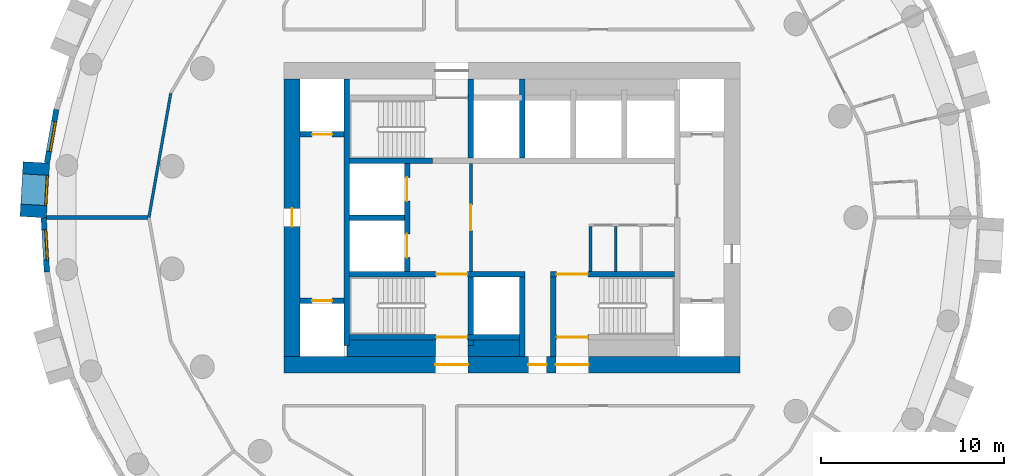
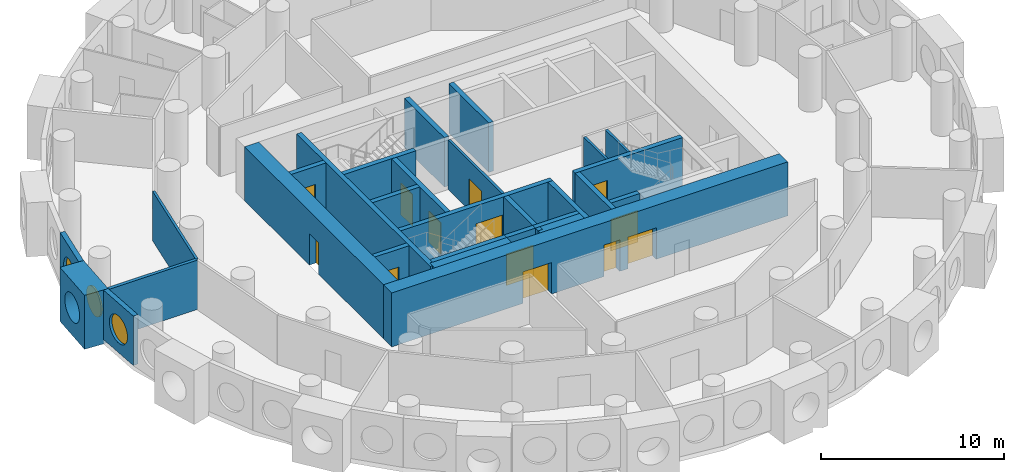
# One storey, part 3 of 10: 29 walls, 13 doors, 3 windows, 16 openings.
"""IFC4 building model written with IfcOpenShell, lengths in metres."""

from ifc_helpers import new_model, si_unit, direction, frame, frame_2d, origin, origin_2d, place, context, subcontext, project, spatial, rectangle, circle, extrude, material, layer, layer_set, type_object, element, fill, save


model = new_model("IFC4")

# Units and contexts
model_context = context("Model", 3, precision=1e-05, world=origin(), true_north=direction((0.0, 1.0)))
body_context = subcontext(model_context, "Body", "Model", "MODEL_VIEW")
ifc_project = project(units=[si_unit("LENGTHUNIT", "METRE"), si_unit("AREAUNIT", "SQUARE_METRE"), si_unit("VOLUMEUNIT", "CUBIC_METRE"), si_unit("PLANEANGLEUNIT", "RADIAN"), si_unit("MASSUNIT", "GRAM", prefix="KILO")], contexts=[model_context])

# Site, building, storey
site_placement = place(None, origin())
site = spatial("IfcSite", under=ifc_project, at=site_placement, CompositionType="ELEMENT")
building_placement = place(site_placement, origin())
building = spatial("IfcBuilding", under=site, at=building_placement, Name="Tracery Tower", CompositionType="ELEMENT")
storey_placement = place(building_placement, frame((0.0, 0.0, 133.199951171875)))
storey = spatial("IfcBuildingStorey", under=building, at=storey_placement, Name="L33", CompositionType="ELEMENT", Elevation=133.199951171875)

# Wall, opening, door
ifc_material_1 = material(Name="Plasterboard on steel studs", Category="steel")
ifc_layer_1 = layer(ifc_material_1, 0.14990234375)
ifc_layer_set_1 = layer_set([ifc_layer_1], Name="Core lobby partition 150")
wall_type_1 = type_object("IfcWallType", Name="Core lobby partition 150", PredefinedType="SOLIDWALL", material=ifc_layer_set_1)
wall_1_placement = place(storey_placement, frame((-2.25, -2.949951171875, 0.0), z_axis=(0.0, 0.0, 1.0), x_axis=(0.0, 1.0, 0.0)))
wall_1 = element("IfcWall", 1, at=wall_1_placement, inside=storey, type_object=wall_type_1, Name="L33 FF lobby E", PredefinedType="SOLIDWALL", context=body_context, shape_type="SweptSolid", body=[
    extrude(rectangle(XDim=5.89990234375, YDim=0.14990234375, at=frame_2d((2.949951171875, 0.0))), origin(), (0.0, 0.0, 1.0), 3.300048828125),
])
opening_1_placement = place(wall_1_placement, frame((2.25, 0.0, 0.0)))
opening_1 = element("IfcOpeningElement", 2, at=opening_1_placement, cuts=wall_1, Name="Opening KD8", PredefinedType="OPENING", context=body_context, shape_type="SweptSolid", body=[
    extrude(rectangle(XDim=1.39990234375, YDim=2.10009765625, at=frame_2d((0.699951171875, 1.050048828125))), frame((0.0, 0.074951171875, 0.0), z_axis=(0.0, -1.0, 0.0), x_axis=(1.0, 0.0, 0.0)), (0.0, 0.0, 1.0), 0.14990234375),
])
ifc_material_2 = material(Name="Steel fire door", Category="steel")
door_type_1 = type_object("IfcDoorType", Name="Core lobby door 1400 double", OperationType="NOTDEFINED", PredefinedType="DOOR", material=ifc_material_2)
door_1_placement = place(opening_1_placement, origin())
door_1 = element("IfcDoor", 3, at=door_1_placement, inside=storey, type_object=door_type_1, Name="Fire-fighting lobby door", OperationType="DOUBLE_DOOR_SINGLE_SWING", OverallHeight=2.10009765625, OverallWidth=1.39990234375, PredefinedType="DOOR", context=body_context, shape_type="SweptSolid", body=[
    extrude(rectangle(XDim=1.39990234375, YDim=2.10009765625, at=frame_2d((0.699951171875, 1.050048828125))), frame((0.0, 0.02490234375, 0.0), z_axis=(0.0, -1.0, 0.0), x_axis=(1.0, 0.0, 0.0)), (0.0, 0.0, 1.0), 0.050048828125),
])
fill(opening_1, door_1)

# Walls
ifc_material_3 = material(Name="Plasterboard on steel studs", Category="steel")
ifc_layer_2 = layer(ifc_material_3, 0.14990234375)
ifc_layer_set_2 = layer_set([ifc_layer_2], Name="Core room partition 150")
wall_type_2 = type_object("IfcWallType", Name="Core room partition 150", PredefinedType="SOLIDWALL", material=ifc_layer_set_2)
for number, where, z_axis, x_axis, name in (
    (4, (4.300048828125, -2.949951171875, 0.0), (0.0, 0.0, 1.0), (0.0, 1.0, 0.0), "L33 slot W"),
    (5, (5.675048828125, -2.949951171875, 0.0), (0.0, 0.0, 1.0), (0.0, 1.0, 0.0), "L33 slot sep 1"),
):
    element("IfcWall", number, at=place(storey_placement, frame(where, z_axis=z_axis, x_axis=x_axis)), inside=storey, type_object=wall_type_2, Name=name, PredefinedType="SOLIDWALL", context=body_context, shape_type="SweptSolid", body=[
        extrude(rectangle(XDim=2.449951171875, YDim=0.14990234375, at=frame_2d((1.22509765625, 0.0))), origin(), (0.0, 0.0, 1.0), 3.300048828125),
    ])
ifc_material_4 = material(Name="Concrete C50/60", Category="concrete")
ifc_layer_3 = layer(ifc_material_4, 0.89990234375)
ifc_layer_set_3 = layer_set([ifc_layer_3], Name="Core strip wall 900 C50")
wall_type_3 = type_object("IfcWallType", Name="Core strip wall 900 C50", PredefinedType="SOLIDWALL", material=ifc_layer_set_3)
wall_2_placement = place(storey_placement, frame((-9.050048828125, -7.14990234375, 0.0), z_axis=(0.0, 0.0, 1.0), x_axis=(1.0, 0.0, 0.0)))
element("IfcWall", 6, at=wall_2_placement, inside=storey, type_object=wall_type_3, Name="L33 F thick S W", PredefinedType="SOLIDWALL", context=body_context, shape_type="SweptSolid", body=[
    extrude(rectangle(XDim=4.85009765625, YDim=0.89990234375, at=frame_2d((2.425048828125, 0.0))), origin(), (0.0, 0.0, 1.0), 3.300048828125),
])
wall_3_placement = place(storey_placement, frame((-2.39990234375, -7.14990234375, 0.0), z_axis=(0.0, 0.0, 1.0), x_axis=(1.0, 0.0, 0.0)))
element("IfcWall", 7, at=wall_3_placement, inside=storey, type_object=wall_type_3, Name="L33 F thick S mid", PredefinedType="SOLIDWALL", context=body_context, shape_type="SweptSolid", body=[
    extrude(rectangle(XDim=2.7998046875, YDim=0.89990234375, at=frame_2d((1.39990234375, 0.0))), origin(), (0.0, 0.0, 1.0), 3.300048828125),
])

# Wall, openings, doors
ifc_material_5 = material(Name="Concrete C50/60", Category="concrete")
ifc_layer_4 = layer(ifc_material_5, 0.89990234375)
ifc_layer_set_4 = layer_set([ifc_layer_4], Name="Core wall 900 C50")
wall_type_4 = type_object("IfcWallType", Name="Core wall 900 C50", PredefinedType="SOLIDWALL", material=ifc_layer_set_4)
wall_4_placement = place(storey_placement, frame((-12.5, -8.050048828125, 0.0), z_axis=(0.0, 0.0, 1.0), x_axis=(1.0, 0.0, 0.0)))
wall_4 = element("IfcWall", 8, at=wall_4_placement, inside=storey, type_object=wall_type_4, Name="L33 outer S", PredefinedType="SOLIDWALL", context=body_context, shape_type="SweptSolid", body=[
    extrude(rectangle(XDim=25.0, YDim=0.89990234375, at=frame_2d((12.5, 0.0))), origin(), (0.0, 0.0, 1.0), 3.60009765625),
])
opening_2_placement = place(wall_4_placement, frame((13.39990234375, 0.0, 0.0)))
opening_2 = element("IfcOpeningElement", 9, at=opening_2_placement, cuts=wall_4, Name="Opening KD16", PredefinedType="OPENING", context=body_context, shape_type="SweptSolid", body=[
    extrude(rectangle(XDim=1.0, YDim=2.10009765625, at=frame_2d((0.5, 1.050048828125))), frame((0.0, 0.449951171875, 0.0), z_axis=(0.0, -1.0, 0.0), x_axis=(1.0, 0.0, 0.0)), (0.0, 0.0, 1.0), 0.89990234375),
])
opening_3_placement = place(wall_4_placement, frame((8.300048828125, 0.0, 0.0)))
opening_3 = element("IfcOpeningElement", 10, at=opening_3_placement, cuts=wall_4, Name="Opening KD13", PredefinedType="OPENING", context=body_context, shape_type="SweptSolid", body=[
    extrude(rectangle(XDim=1.800048828125, YDim=2.10009765625, at=frame_2d((0.89990234375, 1.050048828125))), frame((0.0, 0.449951171875, 0.0), z_axis=(0.0, -1.0, 0.0), x_axis=(1.0, 0.0, 0.0)), (0.0, 0.0, 1.0), 0.89990234375),
])
opening_4_placement = place(wall_4_placement, frame((14.89990234375, 0.0, 0.0)))
opening_4 = element("IfcOpeningElement", 11, at=opening_4_placement, cuts=wall_4, Name="Opening KD13", PredefinedType="OPENING", context=body_context, shape_type="SweptSolid", body=[
    extrude(rectangle(XDim=1.800048828125, YDim=2.10009765625, at=frame_2d((0.89990234375, 1.050048828125))), frame((0.0, 0.449951171875, 0.0), z_axis=(0.0, -1.0, 0.0), x_axis=(1.0, 0.0, 0.0)), (0.0, 0.0, 1.0), 0.89990234375),
])
ifc_material_6 = material(Name="Steel fire door", Category="steel")
door_type_2 = type_object("IfcDoorType", Name="Core exit door 1000", OperationType="NOTDEFINED", PredefinedType="DOOR", material=ifc_material_6)
door_2_placement = place(opening_2_placement, origin())
door_2 = element("IfcDoor", 12, at=door_2_placement, inside=storey, type_object=door_type_2, Name="Core exit door", OperationType="SINGLE_SWING_LEFT", OverallHeight=2.10009765625, OverallWidth=1.0, PredefinedType="DOOR", context=body_context, shape_type="SweptSolid", body=[
    extrude(rectangle(XDim=1.0, YDim=2.10009765625, at=frame_2d((0.5, 1.050048828125))), frame((0.0, 0.02490234375, 0.0), z_axis=(0.0, -1.0, 0.0), x_axis=(1.0, 0.0, 0.0)), (0.0, 0.0, 1.0), 0.050048828125),
])
fill(opening_2, door_2)
ifc_material_7 = material(Name="Steel fire door", Category="steel")
door_type_3 = type_object("IfcDoorType", Name="Core exit door 1800 double", OperationType="NOTDEFINED", PredefinedType="DOOR", material=ifc_material_7)
door_3_placement = place(opening_3_placement, origin())
door_3 = element("IfcDoor", 13, at=door_3_placement, inside=storey, type_object=door_type_3, Name="Core exit door", OperationType="DOUBLE_DOOR_SINGLE_SWING", OverallHeight=2.10009765625, OverallWidth=1.800048828125, PredefinedType="DOOR", context=body_context, shape_type="SweptSolid", body=[
    extrude(rectangle(XDim=1.800048828125, YDim=2.10009765625, at=frame_2d((0.89990234375, 1.050048828125))), frame((0.0, 0.02490234375, 0.0), z_axis=(0.0, -1.0, 0.0), x_axis=(1.0, 0.0, 0.0)), (0.0, 0.0, 1.0), 0.050048828125),
])
fill(opening_3, door_3)
door_4_placement = place(opening_4_placement, origin())
door_4 = element("IfcDoor", 14, at=door_4_placement, inside=storey, type_object=door_type_3, Name="Core exit door", OperationType="DOUBLE_DOOR_SINGLE_SWING", OverallHeight=2.10009765625, OverallWidth=1.800048828125, PredefinedType="DOOR", context=body_context, shape_type="SweptSolid", body=[
    extrude(rectangle(XDim=1.800048828125, YDim=2.10009765625, at=frame_2d((0.89990234375, 1.050048828125))), frame((0.0, 0.02490234375, 0.0), z_axis=(0.0, -1.0, 0.0), x_axis=(1.0, 0.0, 0.0)), (0.0, 0.0, 1.0), 0.050048828125),
])
fill(opening_4, door_4)

# Wall, opening, door
wall_5_placement = place(storey_placement, frame((-12.050048828125, -7.60009765625, 0.0), z_axis=(0.0, 0.0, 1.0), x_axis=(0.0, 1.0, 0.0)))
wall_5 = element("IfcWall", 15, at=wall_5_placement, inside=storey, type_object=wall_type_4, Name="L33 outer W", PredefinedType="SOLIDWALL", context=body_context, shape_type="SweptSolid", body=[
    extrude(rectangle(XDim=15.2001953125, YDim=0.89990234375, at=frame_2d((7.60009765625, 0.0))), origin(), (0.0, 0.0, 1.0), 3.60009765625),
])
opening_5_placement = place(wall_5_placement, frame((7.10009765625, 0.0, 0.0)))
opening_5 = element("IfcOpeningElement", 16, at=opening_5_placement, cuts=wall_5, Name="Opening KD18", PredefinedType="OPENING", context=body_context, shape_type="SweptSolid", body=[
    extrude(rectangle(XDim=1.0, YDim=2.10009765625, at=frame_2d((0.5, 1.050048828125))), frame((0.0, 0.449951171875, 0.0), z_axis=(0.0, -1.0, 0.0), x_axis=(1.0, 0.0, 0.0)), (0.0, 0.0, 1.0), 0.89990234375),
])
door_5_placement = place(opening_5_placement, origin())
door_5 = element("IfcDoor", 17, at=door_5_placement, inside=storey, type_object=door_type_2, Name="Core exit door", OperationType="DOUBLE_DOOR_SINGLE_SWING", OverallHeight=2.10009765625, OverallWidth=1.0, PredefinedType="DOOR", context=body_context, shape_type="SweptSolid", body=[
    extrude(rectangle(XDim=1.0, YDim=2.10009765625, at=frame_2d((0.5, 1.050048828125))), frame((0.0, 0.02490234375, 0.0), z_axis=(0.0, -1.0, 0.0), x_axis=(1.0, 0.0, 0.0)), (0.0, 0.0, 1.0), 0.050048828125),
])
fill(opening_5, door_5)

# Wall, opening, window
ifc_material_8 = material(Name="Precast concrete C50/60", Category="concrete")
ifc_layer_5 = layer(ifc_material_8, 1.449951171875)
ifc_layer_set_5 = layer_set([ifc_layer_5], Name="Deep-set bay unit 3000 x 3600, slab edge 300")
wall_type_5 = type_object("IfcWallType", Name="Deep-set bay unit 3000 x 3600, slab edge 300", PredefinedType="ELEMENTEDWALL", material=ifc_layer_set_5)
wall_6_placement = place(storey_placement, frame((-26.047607421875, 3.01953125, -0.300048828125), z_axis=(0.0, 0.0, 1.0), x_axis=(-0.058106596105, -0.998310384344, 0.0)))
wall_6 = element("IfcWall", 18, at=wall_6_placement, inside=storey, type_object=wall_type_5, Name="Deep-set bay unit 27 at L33", PredefinedType="ELEMENTEDWALL", context=body_context, shape_type="SweptSolid", body=[
    extrude(rectangle(XDim=3.0, YDim=1.449951171875, at=frame_2d((1.5, 0.0))), origin(), (0.0, 0.0, 1.0), 3.60009765625),
])
opening_6_placement = place(wall_6_placement, frame((1.5, 0.0, 1.85009765625)))
opening_6 = element("IfcOpeningElement", 19, at=opening_6_placement, cuts=wall_6, Name="Opening WN1", PredefinedType="OPENING", context=body_context, shape_type="SweptSolid", body=[
    extrude(circle(Radius=0.9000244140625, at=origin_2d()), frame((0.0, 0.73486328125, 0.0), z_axis=(0.0, -1.0, 0.0), x_axis=(1.0, 0.0, 0.0)), (0.0, 0.0, 1.0), 1.469970703125),
])
ifc_material_9 = material(Name="Aluminium frame with tinted double glazing", Category="aluminium")
window_type = type_object("IfcWindowType", Name="Round window 1800", PartitioningType="SINGLE_PANEL", PredefinedType="WINDOW", material=ifc_material_9)
window_1_placement = place(opening_6_placement, origin())
window_1 = element("IfcWindow", 20, at=window_1_placement, inside=storey, type_object=window_type, Name="Round window 27 at L33", OverallHeight=1.800048828125, OverallWidth=1.800048828125, PartitioningType="SINGLE_PANEL", PredefinedType="WINDOW", context=body_context, shape_type="SweptSolid", body=[
    extrude(circle(Radius=0.9000244140625, at=origin_2d()), frame((0.0, 0.69482421875, 0.0), z_axis=(0.0, -1.0, 0.0), x_axis=(1.0, 0.0, 0.0)), (0.0, 0.0, 1.0), 0.10009765625),
])
fill(opening_6, window_1)

ifc_material_10 = material(Name="Precast concrete C50/60", Category="concrete")
ifc_layer_6 = layer(ifc_material_10, 0.300048828125)
ifc_layer_set_6 = layer_set([ifc_layer_6], Name="Facade panel 3000 x 3300")
wall_type_6 = type_object("IfcWallType", Name="Facade panel 3000 x 3300", PredefinedType="SOLIDWALL", material=ifc_layer_set_6)
wall_7_placement = place(storey_placement, frame((-24.9560546875, 5.914794921875, 0.0), z_axis=(0.0, 0.0, 1.0), x_axis=(-0.173686952598, -0.984800915159, 0.0)))
wall_7 = element("IfcWall", 21, at=wall_7_placement, inside=storey, type_object=wall_type_6, Name="Facade panel 26 at L33", PredefinedType="SOLIDWALL", context=body_context, shape_type="SweptSolid", body=[
    extrude(rectangle(XDim=2.972900390625, YDim=0.300048828125, at=frame_2d((1.486328125, 0.0))), origin(), (0.0, 0.0, 1.0), 3.300048828125),
])
opening_7_placement = place(wall_7_placement, frame((1.486328125, 0.0, 1.5498046875)))
opening_7 = element("IfcOpeningElement", 22, at=opening_7_placement, cuts=wall_7, Name="Opening WN1", PredefinedType="OPENING", context=body_context, shape_type="SweptSolid", body=[
    extrude(circle(Radius=0.9000244140625, at=origin_2d()), frame((0.0, 0.159912109375, 0.0), z_axis=(0.0, -1.0, 0.0), x_axis=(1.0, 0.0, 0.0)), (0.0, 0.0, 1.0), 0.320068359375),
])
window_2_placement = place(opening_7_placement, origin())
window_2 = element("IfcWindow", 23, at=window_2_placement, inside=storey, type_object=window_type, Name="Round window 26 at L33", OverallHeight=1.800048828125, OverallWidth=1.800048828125, PartitioningType="SINGLE_PANEL", PredefinedType="WINDOW", context=body_context, shape_type="SweptSolid", body=[
    extrude(circle(Radius=0.9000244140625, at=origin_2d()), frame((0.0, 0.1201171875, 0.0), z_axis=(0.0, -1.0, 0.0), x_axis=(1.0, 0.0, 0.0)), (0.0, 0.0, 1.0), 0.10009765625),
])
fill(opening_7, window_2)

wall_8_placement = place(storey_placement, frame((-25.64697265625, -0.009521484375, 0.0), z_axis=(0.0, 0.0, 1.0), x_axis=(0.058139540521, -0.998308466271, 0.0)))
wall_8 = element("IfcWall", 24, at=wall_8_placement, inside=storey, type_object=wall_type_6, Name="Facade panel 28 at L33", PredefinedType="SOLIDWALL", context=body_context, shape_type="SweptSolid", body=[
    extrude(rectangle(XDim=2.97314453125, YDim=0.300048828125, at=frame_2d((1.486572265625, 0.0))), origin(), (0.0, 0.0, 1.0), 3.300048828125),
])
opening_8_placement = place(wall_8_placement, frame((1.486328125, 0.0, 1.5498046875)))
opening_8 = element("IfcOpeningElement", 25, at=opening_8_placement, cuts=wall_8, Name="Opening WN1", PredefinedType="OPENING", context=body_context, shape_type="SweptSolid", body=[
    extrude(circle(Radius=0.9000244140625, at=origin_2d()), frame((0.0, 0.159912109375, 0.0), z_axis=(0.0, -1.0, 0.0), x_axis=(1.0, 0.0, 0.0)), (0.0, 0.0, 1.0), 0.320068359375),
])
window_3_placement = place(opening_8_placement, origin())
window_3 = element("IfcWindow", 26, at=window_3_placement, inside=storey, type_object=window_type, Name="Round window 28 at L33", OverallHeight=1.800048828125, OverallWidth=1.800048828125, PartitioningType="SINGLE_PANEL", PredefinedType="WINDOW", context=body_context, shape_type="SweptSolid", body=[
    extrude(circle(Radius=0.9000244140625, at=origin_2d()), frame((0.0, 0.1201171875, 0.0), z_axis=(0.0, -1.0, 0.0), x_axis=(1.0, 0.0, 0.0)), (0.0, 0.0, 1.0), 0.10009765625),
])
fill(opening_8, window_3)

# Walls
ifc_material_11 = material(Name="Plasterboard on steel studs", Category="steel")
ifc_layer_7 = layer(ifc_material_11, 0.14990234375)
ifc_layer_set_7 = layer_set([ifc_layer_7], Name="Partition 150 corridor wall")
wall_type_7 = type_object("IfcWallType", Name="Partition 150 corridor wall", PredefinedType="PARTITIONING", material=ifc_layer_set_7)
wall_9_placement = place(storey_placement, frame((-19.887939453125, 0.0, 0.0), z_axis=(0.0, 0.0, 1.0), x_axis=(0.173728873845, 0.98479352069, 0.0)))
element("IfcWall", 27, at=wall_9_placement, inside=storey, type_object=wall_type_7, Name="Corridor wall RB1-027", PredefinedType="PARTITIONING", context=body_context, shape_type="SweptSolid", body=[
    extrude(rectangle(XDim=6.906982421875, YDim=0.14990234375, at=frame_2d((3.45361328125, 0.0))), origin(), (0.0, 0.0, 1.0), 3.300048828125),
])
ifc_material_12 = material(Name="Plasterboard on steel studs", Category="steel")
ifc_layer_8 = layer(ifc_material_12, 0.199951171875)
ifc_layer_set_8 = layer_set([ifc_layer_8], Name="Partition 200 compartment wall")
wall_type_8 = type_object("IfcWallType", Name="Partition 200 compartment wall", PredefinedType="PARTITIONING", material=ifc_layer_set_8)
wall_10_placement = place(storey_placement, frame((-25.4970703125, 0.0, 0.0), z_axis=(0.0, 0.0, 1.0), x_axis=(1.0, 0.0, 0.0)))
element("IfcWall", 28, at=wall_10_placement, inside=storey, type_object=wall_type_8, Name="Compartment wall RB1-076", PredefinedType="PARTITIONING", context=body_context, shape_type="SweptSolid", body=[
    extrude(rectangle(XDim=5.609130859375, YDim=0.199951171875, at=frame_2d((2.8046875, 0.0))), origin(), (0.0, 0.0, 1.0), 3.300048828125),
])
ifc_material_13 = material(Name="Concrete C50/60", Category="concrete")
ifc_layer_9 = layer(ifc_material_13, 0.300048828125)
ifc_layer_set_9 = layer_set([ifc_layer_9], Name="Shaft wall 300 C50")
wall_type_9 = type_object("IfcWallType", Name="Shaft wall 300 C50", PredefinedType="SOLIDWALL", material=ifc_layer_set_9)
wall_11_placement = place(storey_placement, frame((-8.89990234375, 0.0, 0.0), z_axis=(0.0, 0.0, 1.0), x_axis=(1.0, 0.0, 0.0)))
element("IfcWall", 29, at=wall_11_placement, inside=storey, type_object=wall_type_9, Name="L33 FF split", PredefinedType="SOLIDWALL", context=body_context, shape_type="SweptSolid", body=[
    extrude(rectangle(XDim=3.0, YDim=0.300048828125, at=frame_2d((1.5, 0.0))), origin(), (0.0, 0.0, 1.0), 3.300048828125),
])

# Wall, openings, doors
wall_12_placement = place(storey_placement, frame((-5.75, -2.949951171875, 0.0), z_axis=(0.0, 0.0, 1.0), x_axis=(0.0, 1.0, 0.0)))
wall_12 = element("IfcWall", 30, at=wall_12_placement, inside=storey, type_object=wall_type_9, Name="L33 FF doors", PredefinedType="SOLIDWALL", context=body_context, shape_type="SweptSolid", body=[
    extrude(rectangle(XDim=5.89990234375, YDim=0.300048828125, at=frame_2d((2.949951171875, 0.0))), origin(), (0.0, 0.0, 1.0), 3.300048828125),
])
opening_9_placement = place(wall_12_placement, frame((0.75, 0.0, 0.0)))
opening_9 = element("IfcOpeningElement", 31, at=opening_9_placement, cuts=wall_12, Name="Opening KD54", PredefinedType="OPENING", context=body_context, shape_type="SweptSolid", body=[
    extrude(rectangle(XDim=1.300048828125, YDim=2.10009765625, at=frame_2d((0.64990234375, 1.050048828125))), frame((0.0, 0.14990234375, 0.0), z_axis=(0.0, -1.0, 0.0), x_axis=(1.0, 0.0, 0.0)), (0.0, 0.0, 1.0), 0.300048828125),
])
opening_10_placement = place(wall_12_placement, frame((3.85009765625, 0.0, 0.0)))
opening_10 = element("IfcOpeningElement", 32, at=opening_10_placement, cuts=wall_12, Name="Opening KD55", PredefinedType="OPENING", context=body_context, shape_type="SweptSolid", body=[
    extrude(rectangle(XDim=1.300048828125, YDim=2.10009765625, at=frame_2d((0.64990234375, 1.050048828125))), frame((0.0, 0.14990234375, 0.0), z_axis=(0.0, -1.0, 0.0), x_axis=(1.0, 0.0, 0.0)), (0.0, 0.0, 1.0), 0.300048828125),
])
ifc_material_14 = material(Name="Steel fire door", Category="steel")
door_type_4 = type_object("IfcDoorType", Name="Landing door FF 1300", OperationType="NOTDEFINED", PredefinedType="DOOR", material=ifc_material_14)
door_6_placement = place(opening_9_placement, origin())
door_6 = element("IfcDoor", 33, at=door_6_placement, inside=storey, type_object=door_type_4, Name="Landing door FF1", OperationType="SLIDING_TO_LEFT", OverallHeight=2.10009765625, OverallWidth=1.300048828125, PredefinedType="DOOR", context=body_context, shape_type="SweptSolid", body=[
    extrude(rectangle(XDim=1.300048828125, YDim=2.10009765625, at=frame_2d((0.64990234375, 1.050048828125))), frame((0.0, 0.02490234375, 0.0), z_axis=(0.0, -1.0, 0.0), x_axis=(1.0, 0.0, 0.0)), (0.0, 0.0, 1.0), 0.050048828125),
])
fill(opening_9, door_6)
door_7_placement = place(opening_10_placement, origin())
door_7 = element("IfcDoor", 34, at=door_7_placement, inside=storey, type_object=door_type_4, Name="Landing door FF2", OperationType="SLIDING_TO_RIGHT", OverallHeight=2.10009765625, OverallWidth=1.300048828125, PredefinedType="DOOR", context=body_context, shape_type="SweptSolid", body=[
    extrude(rectangle(XDim=1.300048828125, YDim=2.10009765625, at=frame_2d((0.64990234375, 1.050048828125))), frame((0.0, 0.02490234375, 0.0), z_axis=(0.0, -1.0, 0.0), x_axis=(1.0, 0.0, 0.0)), (0.0, 0.0, 1.0), 0.050048828125),
])
fill(opening_10, door_7)

# Walls
for number, where, z_axis, x_axis, name in (
    (35, (0.550048828125, -7.60009765625, 0.0), (0.0, 0.0, 1.0), (0.0, 1.0, 0.0), "L33 OB2 E"),
    (36, (0.550048828125, 3.25, 0.0), (0.0, 0.0, 1.0), (0.0, 1.0, 0.0), "L33 HR sep 1"),
):
    element("IfcWall", number, at=place(storey_placement, frame(where, z_axis=z_axis, x_axis=x_axis)), inside=storey, type_object=wall_type_9, Name=name, PredefinedType="SOLIDWALL", context=body_context, shape_type="SweptSolid", body=[
        extrude(rectangle(XDim=4.35009765625, YDim=0.300048828125, at=frame_2d((2.175048828125, 0.0))), origin(), (0.0, 0.0, 1.0), 3.300048828125),
    ])

# Wall, opening, door
wall_13_placement = place(storey_placement, frame((-11.60009765625, -4.550048828125, 0.0), z_axis=(0.0, 0.0, 1.0), x_axis=(1.0, 0.0, 0.0)))
wall_13 = element("IfcWall", 37, at=wall_13_placement, inside=storey, type_object=wall_type_9, Name="L33 MR W -4.55", PredefinedType="SOLIDWALL", context=body_context, shape_type="SweptSolid", body=[
    extrude(rectangle(XDim=2.400146484375, YDim=0.300048828125, at=frame_2d((1.2001953125, 0.0))), origin(), (0.0, 0.0, 1.0), 3.300048828125),
])
opening_11_placement = place(wall_13_placement, frame((0.64990234375, 0.0, 0.0)))
opening_11 = element("IfcOpeningElement", 38, at=opening_11_placement, cuts=wall_13, Name="Opening KD50", PredefinedType="OPENING", context=body_context, shape_type="SweptSolid", body=[
    extrude(rectangle(XDim=1.10009765625, YDim=2.10009765625, at=frame_2d((0.550048828125, 1.050048828125))), frame((0.0, 0.14990234375, 0.0), z_axis=(0.0, -1.0, 0.0), x_axis=(1.0, 0.0, 0.0)), (0.0, 0.0, 1.0), 0.300048828125),
])
ifc_material_15 = material(Name="Steel fire door", Category="steel")
door_type_5 = type_object("IfcDoorType", Name="Landing door 1100", OperationType="NOTDEFINED", PredefinedType="DOOR", material=ifc_material_15)
door_8_placement = place(opening_11_placement, origin())
door_8 = element("IfcDoor", 39, at=door_8_placement, inside=storey, type_object=door_type_5, Name="Landing door MR1", OperationType="SLIDING_TO_RIGHT", OverallHeight=2.10009765625, OverallWidth=1.10009765625, PredefinedType="DOOR", context=body_context, shape_type="SweptSolid", body=[
    extrude(rectangle(XDim=1.10009765625, YDim=2.10009765625, at=frame_2d((0.550048828125, 1.050048828125))), frame((0.0, 0.02490234375, 0.0), z_axis=(0.0, -1.0, 0.0), x_axis=(1.0, 0.0, 0.0)), (0.0, 0.0, 1.0), 0.050048828125),
])
fill(opening_11, door_8)

wall_14_placement = place(storey_placement, frame((-11.60009765625, 4.550048828125, 0.0), z_axis=(0.0, 0.0, 1.0), x_axis=(1.0, 0.0, 0.0)))
wall_14 = element("IfcWall", 40, at=wall_14_placement, inside=storey, type_object=wall_type_9, Name="L33 MR W +4.55", PredefinedType="SOLIDWALL", context=body_context, shape_type="SweptSolid", body=[
    extrude(rectangle(XDim=2.400146484375, YDim=0.300048828125, at=frame_2d((1.2001953125, 0.0))), origin(), (0.0, 0.0, 1.0), 3.300048828125),
])
opening_12_placement = place(wall_14_placement, frame((0.64990234375, 0.0, 0.0)))
opening_12 = element("IfcOpeningElement", 41, at=opening_12_placement, cuts=wall_14, Name="Opening KD49", PredefinedType="OPENING", context=body_context, shape_type="SweptSolid", body=[
    extrude(rectangle(XDim=1.10009765625, YDim=2.10009765625, at=frame_2d((0.550048828125, 1.050048828125))), frame((0.0, 0.14990234375, 0.0), z_axis=(0.0, -1.0, 0.0), x_axis=(1.0, 0.0, 0.0)), (0.0, 0.0, 1.0), 0.300048828125),
])
door_9_placement = place(opening_12_placement, origin())
door_9 = element("IfcDoor", 42, at=door_9_placement, inside=storey, type_object=door_type_5, Name="Landing door MR2", OperationType="SLIDING_TO_LEFT", OverallHeight=2.10009765625, OverallWidth=1.10009765625, PredefinedType="DOOR", context=body_context, shape_type="SweptSolid", body=[
    extrude(rectangle(XDim=1.10009765625, YDim=2.10009765625, at=frame_2d((0.550048828125, 1.050048828125))), frame((0.0, 0.02490234375, 0.0), z_axis=(0.0, -1.0, 0.0), x_axis=(1.0, 0.0, 0.0)), (0.0, 0.0, 1.0), 0.050048828125),
])
fill(opening_12, door_9)

ifc_material_16 = material(Name="Concrete C50/60", Category="concrete")
ifc_layer_10 = layer(ifc_material_16, 0.300048828125)
ifc_layer_set_10 = layer_set([ifc_layer_10], Name="Stair wall 300 C50")
wall_type_10 = type_object("IfcWallType", Name="Stair wall 300 C50", PredefinedType="SOLIDWALL", material=ifc_layer_set_10)
wall_15_placement = place(storey_placement, frame((-8.89990234375, -3.10009765625, 0.0), z_axis=(0.0, 0.0, 1.0), x_axis=(1.0, 0.0, 0.0)))
wall_15 = element("IfcWall", 43, at=wall_15_placement, inside=storey, type_object=wall_type_10, Name="L33 row S", PredefinedType="SOLIDWALL", context=body_context, shape_type="SweptSolid", body=[
    extrude(rectangle(XDim=9.599853515625, YDim=0.300048828125, at=frame_2d((4.7998046875, 0.0))), origin(), (0.0, 0.0, 1.0), 3.300048828125),
])
opening_13_placement = place(wall_15_placement, frame((4.75, 0.0, 0.0)))
opening_13 = element("IfcOpeningElement", 44, at=opening_13_placement, cuts=wall_15, Name="Opening KD3", PredefinedType="OPENING", context=body_context, shape_type="SweptSolid", body=[
    extrude(rectangle(XDim=1.699951171875, YDim=2.10009765625, at=frame_2d((0.85009765625, 1.050048828125))), frame((0.0, 0.14990234375, 0.0), z_axis=(0.0, -1.0, 0.0), x_axis=(1.0, 0.0, 0.0)), (0.0, 0.0, 1.0), 0.300048828125),
])
ifc_material_17 = material(Name="Steel fire door", Category="steel")
door_type_6 = type_object("IfcDoorType", Name="Core stair door 1700 double", OperationType="NOTDEFINED", PredefinedType="DOOR", material=ifc_material_17)
door_10_placement = place(opening_13_placement, origin())
door_10 = element("IfcDoor", 45, at=door_10_placement, inside=storey, type_object=door_type_6, Name="Stair door ST1", OperationType="DOUBLE_DOOR_SINGLE_SWING", OverallHeight=2.10009765625, OverallWidth=1.699951171875, PredefinedType="DOOR", context=body_context, shape_type="SweptSolid", body=[
    extrude(rectangle(XDim=1.699951171875, YDim=2.10009765625, at=frame_2d((0.85009765625, 1.050048828125))), frame((0.0, 0.02490234375, 0.0), z_axis=(0.0, -1.0, 0.0), x_axis=(1.0, 0.0, 0.0)), (0.0, 0.0, 1.0), 0.050048828125),
])
fill(opening_13, door_10)

wall_16_placement = place(storey_placement, frame((2.10009765625, -3.10009765625, 0.0), z_axis=(0.0, 0.0, 1.0), x_axis=(1.0, 0.0, 0.0)))
wall_16 = element("IfcWall", 46, at=wall_16_placement, inside=storey, type_object=wall_type_10, Name="L33 row S E", PredefinedType="SOLIDWALL", context=body_context, shape_type="SweptSolid", body=[
    extrude(rectangle(XDim=6.7998046875, YDim=0.300048828125, at=frame_2d((3.39990234375, 0.0))), origin(), (0.0, 0.0, 1.0), 3.300048828125),
])
opening_14_placement = place(wall_16_placement, frame((0.35009765625, 0.0, 0.0)))
opening_14 = element("IfcOpeningElement", 47, at=opening_14_placement, cuts=wall_16, Name="Opening KD3", PredefinedType="OPENING", context=body_context, shape_type="SweptSolid", body=[
    extrude(rectangle(XDim=1.699951171875, YDim=2.10009765625, at=frame_2d((0.85009765625, 1.050048828125))), frame((0.0, 0.14990234375, 0.0), z_axis=(0.0, -1.0, 0.0), x_axis=(1.0, 0.0, 0.0)), (0.0, 0.0, 1.0), 0.300048828125),
])
door_11_placement = place(opening_14_placement, origin())
door_11 = element("IfcDoor", 48, at=door_11_placement, inside=storey, type_object=door_type_6, Name="Stair door ST2", OperationType="DOUBLE_DOOR_SINGLE_SWING", OverallHeight=2.10009765625, OverallWidth=1.699951171875, PredefinedType="DOOR", context=body_context, shape_type="SweptSolid", body=[
    extrude(rectangle(XDim=1.699951171875, YDim=2.10009765625, at=frame_2d((0.85009765625, 1.050048828125))), frame((0.0, 0.02490234375, 0.0), z_axis=(0.0, -1.0, 0.0), x_axis=(1.0, 0.0, 0.0)), (0.0, 0.0, 1.0), 0.050048828125),
])
fill(opening_14, door_11)

# Walls
wall_17_placement = place(storey_placement, frame((-8.89990234375, 3.10009765625, 0.0), z_axis=(0.0, 0.0, 1.0), x_axis=(1.0, 0.0, 0.0)))
element("IfcWall", 49, at=wall_17_placement, inside=storey, type_object=wall_type_10, Name="L33 row N W", PredefinedType="SOLIDWALL", context=body_context, shape_type="SweptSolid", body=[
    extrude(rectangle(XDim=4.5498046875, YDim=0.300048828125, at=frame_2d((2.27490234375, 0.0))), origin(), (0.0, 0.0, 1.0), 3.300048828125),
])
wall_18_placement = place(storey_placement, frame((-2.25, -7.0, 0.0), z_axis=(0.0, 0.0, 1.0), x_axis=(0.0, 1.0, 0.0)))
element("IfcWall", 50, at=wall_18_placement, inside=storey, type_object=wall_type_10, Name="L33 ST1 E", PredefinedType="SOLIDWALL", context=body_context, shape_type="SweptSolid", body=[
    extrude(rectangle(XDim=3.75, YDim=0.300048828125, at=frame_2d((1.875, 0.0))), origin(), (0.0, 0.0, 1.0), 3.300048828125),
])
for number, where, z_axis, x_axis, name in (
    (51, (-2.25, 3.25, 0.0), (0.0, 0.0, 1.0), (0.0, 1.0, 0.0), "L33 ST3 E"),
    (52, (2.25, -7.60009765625, 0.0), (0.0, 0.0, 1.0), (0.0, 1.0, 0.0), "L33 ST2 W"),
):
    element("IfcWall", number, at=place(storey_placement, frame(where, z_axis=z_axis, x_axis=x_axis)), inside=storey, type_object=wall_type_10, Name=name, PredefinedType="SOLIDWALL", context=body_context, shape_type="SweptSolid", body=[
        extrude(rectangle(XDim=4.35009765625, YDim=0.300048828125, at=frame_2d((2.175048828125, 0.0))), origin(), (0.0, 0.0, 1.0), 3.300048828125),
    ])
wall_19_placement = place(storey_placement, frame((-9.050048828125, -7.0, 0.0), z_axis=(0.0, 0.0, 1.0), x_axis=(0.0, 1.0, 0.0)))
element("IfcWall", 53, at=wall_19_placement, inside=storey, type_object=wall_type_10, Name="L33 F wall -9", PredefinedType="SOLIDWALL", context=body_context, shape_type="SweptSolid", body=[
    extrude(rectangle(XDim=14.60009765625, YDim=0.300048828125, at=frame_2d((7.300048828125, 0.0))), origin(), (0.0, 0.0, 1.0), 3.300048828125),
])
wall_20_placement = place(storey_placement, frame((-8.89990234375, -6.550048828125, 0.0), z_axis=(0.0, 0.0, 1.0), x_axis=(1.0, 0.0, 0.0)))
element("IfcWall", 54, at=wall_20_placement, inside=storey, type_object=wall_type_10, Name="L33 F stair strip S W", PredefinedType="SOLIDWALL", context=body_context, shape_type="SweptSolid", body=[
    extrude(rectangle(XDim=4.699951171875, YDim=0.300048828125, at=frame_2d((2.35009765625, 0.0))), origin(), (0.0, 0.0, 1.0), 3.300048828125),
])
wall_21_placement = place(storey_placement, frame((-2.39990234375, -6.550048828125, 0.0), z_axis=(0.0, 0.0, 1.0), x_axis=(1.0, 0.0, 0.0)))
element("IfcWall", 55, at=wall_21_placement, inside=storey, type_object=wall_type_10, Name="L33 F stair strip S mid", PredefinedType="SOLIDWALL", context=body_context, shape_type="SweptSolid", body=[
    extrude(rectangle(XDim=2.7998046875, YDim=0.300048828125, at=frame_2d((1.39990234375, 0.0))), origin(), (0.0, 0.0, 1.0), 3.300048828125),
])

# Wall, opening, door
wall_22_placement = place(storey_placement, frame((-4.199951171875, -6.550048828125, 0.0), z_axis=(0.0, 0.0, 1.0), x_axis=(1.0, 0.0, 0.0)))
wall_22 = element("IfcWall", 56, at=wall_22_placement, inside=storey, type_object=wall_type_10, Name="L33 F stair S W", PredefinedType="SOLIDWALL", context=body_context, shape_type="SweptSolid", body=[
    extrude(rectangle(XDim=1.800048828125, YDim=0.300048828125, at=frame_2d((0.89990234375, 0.0))), origin(), (0.0, 0.0, 1.0), 3.300048828125),
])
opening_15_placement = place(wall_22_placement, frame((0.050048828125, 0.0, 0.0)))
opening_15 = element("IfcOpeningElement", 57, at=opening_15_placement, cuts=wall_22, Name="Opening KD3", PredefinedType="OPENING", context=body_context, shape_type="SweptSolid", body=[
    extrude(rectangle(XDim=1.699951171875, YDim=2.10009765625, at=frame_2d((0.85009765625, 1.050048828125))), frame((0.0, 0.14990234375, 0.0), z_axis=(0.0, -1.0, 0.0), x_axis=(1.0, 0.0, 0.0)), (0.0, 0.0, 1.0), 0.300048828125),
])
door_12_placement = place(opening_15_placement, origin())
door_12 = element("IfcDoor", 58, at=door_12_placement, inside=storey, type_object=door_type_6, Name="Stair door vest", OperationType="DOUBLE_DOOR_SINGLE_SWING", OverallHeight=2.10009765625, OverallWidth=1.699951171875, PredefinedType="DOOR", context=body_context, shape_type="SweptSolid", body=[
    extrude(rectangle(XDim=1.699951171875, YDim=2.10009765625, at=frame_2d((0.85009765625, 1.050048828125))), frame((0.0, 0.02490234375, 0.0), z_axis=(0.0, -1.0, 0.0), x_axis=(1.0, 0.0, 0.0)), (0.0, 0.0, 1.0), 0.050048828125),
])
fill(opening_15, door_12)

wall_23_placement = place(storey_placement, frame((2.39990234375, -6.550048828125, 0.0), z_axis=(0.0, 0.0, 1.0), x_axis=(1.0, 0.0, 0.0)))
wall_23 = element("IfcWall", 59, at=wall_23_placement, inside=storey, type_object=wall_type_10, Name="L33 F stair S E", PredefinedType="SOLIDWALL", context=body_context, shape_type="SweptSolid", body=[
    extrude(rectangle(XDim=1.800048828125, YDim=0.300048828125, at=frame_2d((0.89990234375, 0.0))), origin(), (0.0, 0.0, 1.0), 3.300048828125),
])
opening_16_placement = place(wall_23_placement, frame((0.050048828125, 0.0, 0.0)))
opening_16 = element("IfcOpeningElement", 60, at=opening_16_placement, cuts=wall_23, Name="Opening KD3", PredefinedType="OPENING", context=body_context, shape_type="SweptSolid", body=[
    extrude(rectangle(XDim=1.699951171875, YDim=2.10009765625, at=frame_2d((0.85009765625, 1.050048828125))), frame((0.0, 0.14990234375, 0.0), z_axis=(0.0, -1.0, 0.0), x_axis=(1.0, 0.0, 0.0)), (0.0, 0.0, 1.0), 0.300048828125),
])
door_13_placement = place(opening_16_placement, origin())
door_13 = element("IfcDoor", 61, at=door_13_placement, inside=storey, type_object=door_type_6, Name="Stair door vest", OperationType="DOUBLE_DOOR_SINGLE_SWING", OverallHeight=2.10009765625, OverallWidth=1.699951171875, PredefinedType="DOOR", context=body_context, shape_type="SweptSolid", body=[
    extrude(rectangle(XDim=1.699951171875, YDim=2.10009765625, at=frame_2d((0.85009765625, 1.050048828125))), frame((0.0, 0.02490234375, 0.0), z_axis=(0.0, -1.0, 0.0), x_axis=(1.0, 0.0, 0.0)), (0.0, 0.0, 1.0), 0.050048828125),
])
fill(opening_16, door_13)

save(model, "model.ifc")
